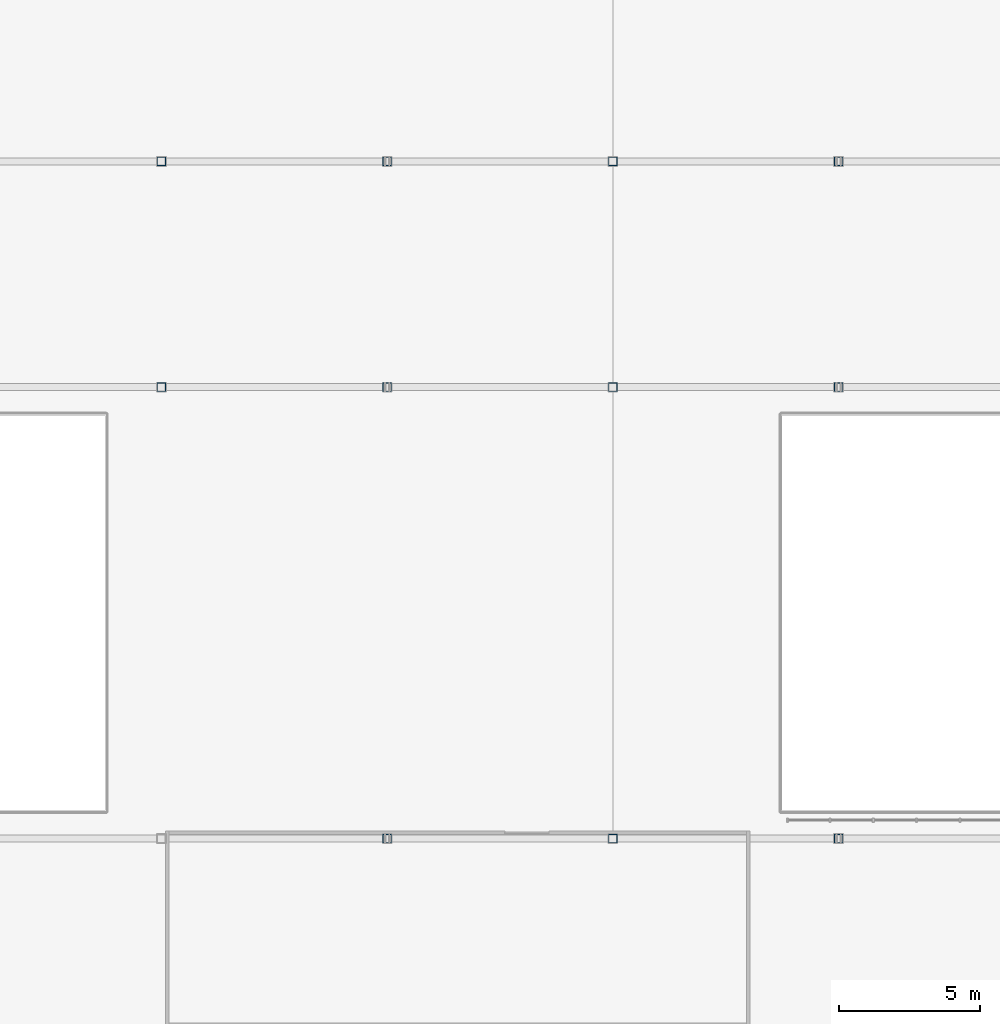
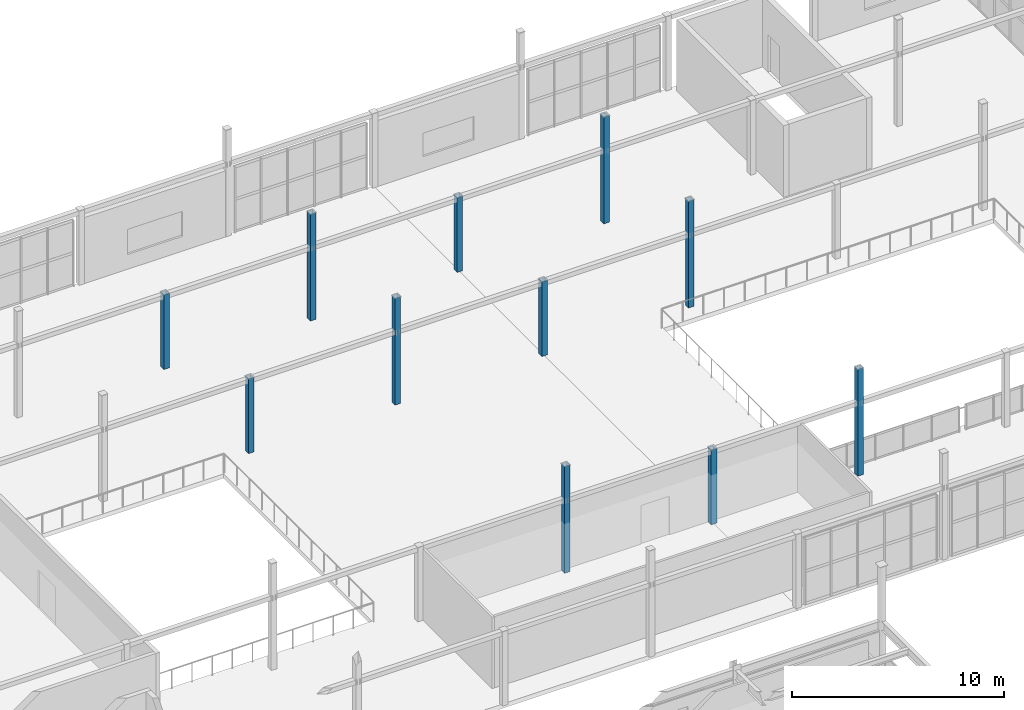
# One storey, part 6 of 83: 11 columns.
"""IFC4 building model written with IfcOpenShell, lengths in metres."""

from ifc_helpers import new_model, si_unit, direction, frame, origin, origin_2d, place, context, subcontext, project, spatial, hollow_rectangle, extrude, material, material_profile, profile_set, type_object, element, save


model = new_model("IFC4")

# Units and contexts
model_context = context("Model", 3, precision=1e-05, world=origin(), true_north=direction((0.0, 1.0)))
body_context = subcontext(model_context, "Body", "Model", "MODEL_VIEW")
ifc_project = project(units=[si_unit("LENGTHUNIT", "METRE"), si_unit("AREAUNIT", "SQUARE_METRE"), si_unit("VOLUMEUNIT", "CUBIC_METRE"), si_unit("PLANEANGLEUNIT", "RADIAN"), si_unit("MASSUNIT", "GRAM", prefix="KILO")], contexts=[model_context])

# Site, building, storey
site_placement = place(None, origin())
site = spatial("IfcSite", under=ifc_project, at=site_placement, CompositionType="ELEMENT")
building_placement = place(site_placement, origin())
building = spatial("IfcBuilding", under=site, at=building_placement, Name="Drelvath Fold Interchange", CompositionType="ELEMENT")
storey_placement = place(building_placement, frame((0.0, 0.0, 11.199951171875)))
storey = spatial("IfcBuildingStorey", under=building, at=storey_placement, Name="L02", CompositionType="ELEMENT", Elevation=11.199951171875)

# Columns
ifc_material = material(Name="Steel ASTM A500 Grade C", Category="steel")
ifc_material_profile = material_profile(ifc_material, hollow_rectangle(XDim=0.304931640625, YDim=0.304931640625, WallThickness=0.01171875, at=origin_2d()), Name="HSS12X12X1/2")
ifc_profile_set = profile_set([ifc_material_profile], Name="Steel ASTM A500 Grade C")
column_type = type_object("IfcColumnType", Name="COL-HSS305", PredefinedType="COLUMN", material=ifc_profile_set)
for number, where, z_axis, x_axis, name in (
    (1, (36.0, 83.0, 0.0), (0.0, 0.0, 1.0), (1.0, 0.0, 0.0), "L02 column (36,83)"),
    (2, (36.0, 91.0, 0.0), (0.0, 0.0, 1.0), (1.0, 0.0, 0.0), "L02 column (36,91)"),
):
    element("IfcColumn", number, at=place(storey_placement, frame(where, z_axis=z_axis, x_axis=x_axis)), inside=storey, type_object=column_type, Name=name, PredefinedType="COLUMN", context=body_context, shape_type="SweptSolid", body=[
        extrude(hollow_rectangle(XDim=0.304931640625, YDim=0.304931640625, WallThickness=0.01171875, at=origin_2d()), origin(), (0.0, 0.0, 1.0), 4.300048828125),
    ])
for number, where, z_axis, x_axis, name in (
    (3, (44.0, 67.0, 0.0), (0.0, 0.0, 1.0), (1.0, 0.0, 0.0), "L02 column (44,67)"),
    (4, (44.0, 83.0, 0.0), (0.0, 0.0, 1.0), (1.0, 0.0, 0.0), "L02 column (44,83)"),
    (5, (44.0, 91.0, 0.0), (0.0, 0.0, 1.0), (1.0, 0.0, 0.0), "L02 column (44,91)"),
):
    element("IfcColumn", number, at=place(storey_placement, frame(where, z_axis=z_axis, x_axis=x_axis)), inside=storey, type_object=column_type, Name=name, PredefinedType="COLUMN", context=body_context, shape_type="SweptSolid", body=[
        extrude(hollow_rectangle(XDim=0.304931640625, YDim=0.304931640625, WallThickness=0.01171875, at=origin_2d()), origin(), (0.0, 0.0, 1.0), 6.150146484375),
    ])
for number, where, z_axis, x_axis, name in (
    (6, (52.0, 67.0, 0.0), (0.0, 0.0, 1.0), (1.0, 0.0, 0.0), "L02 column (52,67)"),
    (7, (52.0, 83.0, 0.0), (0.0, 0.0, 1.0), (1.0, 0.0, 0.0), "L02 column (52,83)"),
    (8, (52.0, 91.0, 0.0), (0.0, 0.0, 1.0), (1.0, 0.0, 0.0), "L02 column (52,91)"),
):
    element("IfcColumn", number, at=place(storey_placement, frame(where, z_axis=z_axis, x_axis=x_axis)), inside=storey, type_object=column_type, Name=name, PredefinedType="COLUMN", context=body_context, shape_type="SweptSolid", body=[
        extrude(hollow_rectangle(XDim=0.304931640625, YDim=0.304931640625, WallThickness=0.01171875, at=origin_2d()), origin(), (0.0, 0.0, 1.0), 4.300048828125),
    ])
for number, where, z_axis, x_axis, name in (
    (9, (60.0, 67.0, 0.0), (0.0, 0.0, 1.0), (1.0, 0.0, 0.0), "L02 column (60,67)"),
    (10, (60.0, 83.0, 0.0), (0.0, 0.0, 1.0), (1.0, 0.0, 0.0), "L02 column (60,83)"),
    (11, (60.0, 91.0, 0.0), (0.0, 0.0, 1.0), (1.0, 0.0, 0.0), "L02 column (60,91)"),
):
    element("IfcColumn", number, at=place(storey_placement, frame(where, z_axis=z_axis, x_axis=x_axis)), inside=storey, type_object=column_type, Name=name, PredefinedType="COLUMN", context=body_context, shape_type="SweptSolid", body=[
        extrude(hollow_rectangle(XDim=0.304931640625, YDim=0.304931640625, WallThickness=0.01171875, at=origin_2d()), origin(), (0.0, 0.0, 1.0), 6.150146484375),
    ])

save(model, "model.ifc")
